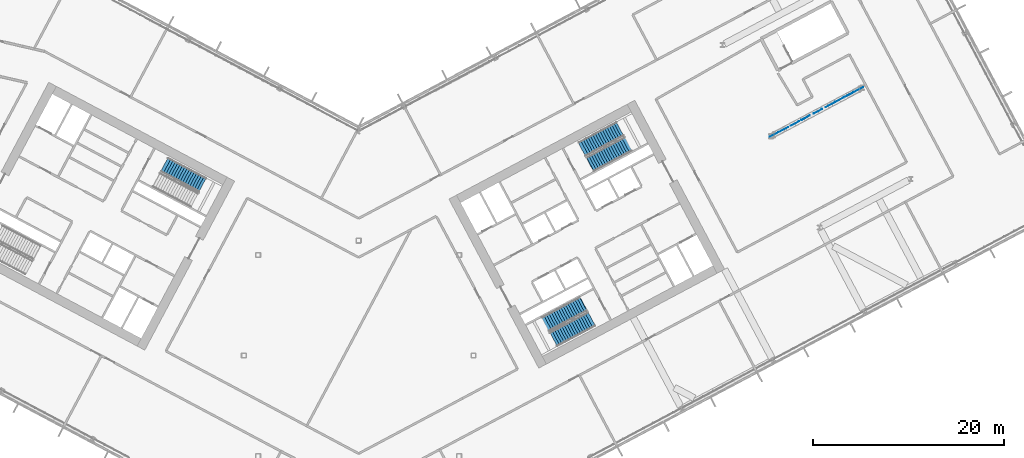
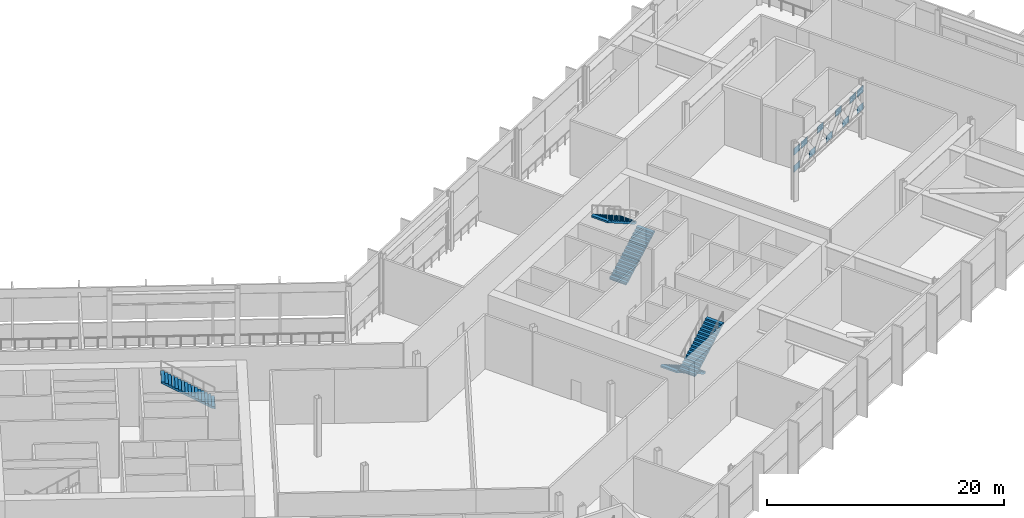
# One storey, part 18 of 33: 11 discrete accessories, 5 stair flights, 3 elements without a shape of their own.
"""IFC4 building model written with IfcOpenShell, lengths in metres."""

from ifc_helpers import new_model, si_unit, direction, frame, origin, origin_2d, place, context, subcontext, project, spatial, polyline, rectangle, outline, extrude, material, layer, layer_set, type_object, element, aggregate, save


model = new_model("IFC4")

# Units and contexts
model_context = context("Model", 3, precision=1e-05, world=origin(), true_north=direction((0.0, 1.0)))
body_context = subcontext(model_context, "Body", "Model", "MODEL_VIEW")
ifc_project = project(units=[si_unit("LENGTHUNIT", "METRE"), si_unit("AREAUNIT", "SQUARE_METRE"), si_unit("VOLUMEUNIT", "CUBIC_METRE"), si_unit("PLANEANGLEUNIT", "RADIAN"), si_unit("MASSUNIT", "GRAM", prefix="KILO")], contexts=[model_context])

# Site, building, storey
site_placement = place(None, origin())
site = spatial("IfcSite", under=ifc_project, at=site_placement, CompositionType="ELEMENT")
building_placement = place(site_placement, origin())
building = spatial("IfcBuilding", under=site, at=building_placement, Name="Cormorant Relay Tower", CompositionType="ELEMENT")
storey_placement = place(building_placement, frame((0.0, 0.0, 112.199951171875)))
storey = spatial("IfcBuildingStorey", under=building, at=storey_placement, Name="L22", CompositionType="ELEMENT", Elevation=112.199951171875)

# Stair, stair flight
ifc_material_1 = material(Name="Concrete 40 MPa", Category="concrete")
stair_type = type_object("IfcStairType", Name="Exit stair 1500", PredefinedType="HALF_TURN_STAIR", material=ifc_material_1)
stair_1_placement = place(storey_placement, origin())
stair_1 = element("IfcStair", 1, at=stair_1_placement, inside=storey, type_object=stair_type, Name="L22 Stair", PredefinedType="HALF_TURN_STAIR")
ifc_material_2 = material(Name="Concrete 40 MPa", Category="concrete")
stair_flight_type = type_object("IfcStairFlightType", Name="Exit stair flight 1650", PredefinedType="STRAIGHT", material=ifc_material_2)
stair_flight_1_placement = place(storey_placement, frame((-16.313720703125, 17.819580078125, 3.0), z_axis=(0.0, 0.0, 1.0), x_axis=(-0.882947592859, 0.469471562786, 0.0)))
stair_flight_1 = element("IfcStairFlight", 2, at=stair_flight_1_placement, type_object=stair_flight_type, Name="A1 flight 2", NumberOfRisers=17, NumberOfTreads=16, PredefinedType="STRAIGHT", RiserHeight=0.176470588, TreadLength=0.28, context=body_context, shape_type="SweptSolid", body=[
    extrude(outline(polyline([(-0.050048828125, -0.080078125), (-0.050048828125, 0.0), (0.0, 0.0), (0.0, 0.176513671875), (0.280029296875, 0.176513671875), (0.280029296875, 0.35302734375), (0.56005859375, 0.35302734375), (0.56005859375, 0.529296875), (0.840087890625, 0.529296875), (0.840087890625, 0.705810546875), (1.1201171875, 0.705810546875), (1.1201171875, 0.88232421875), (1.39990234375, 0.88232421875), (1.39990234375, 1.058837890625), (1.679931640625, 1.058837890625), (1.679931640625, 1.2353515625), (1.9599609375, 1.2353515625), (1.9599609375, 1.411865234375), (2.239990234375, 1.411865234375), (2.239990234375, 1.588134765625), (2.52001953125, 1.588134765625), (2.52001953125, 1.7646484375), (2.800048828125, 1.7646484375), (2.800048828125, 1.941162109375), (3.080078125, 1.941162109375), (3.080078125, 2.11767578125), (3.360107421875, 2.11767578125), (3.360107421875, 2.294189453125), (3.639892578125, 2.294189453125), (3.639892578125, 2.470703125), (3.919921875, 2.470703125), (3.919921875, 2.64697265625), (4.199951171875, 2.64697265625), (4.199951171875, 2.823486328125), (4.47998046875, 2.823486328125), (4.530029296875, 2.823486328125), (4.530029296875, 2.646240234375), (4.47998046875, 2.646240234375), (0.28125, 0.0), (-0.050048828125, -0.080078125)])), frame((0.0, 0.824951171875, 0.0), z_axis=(0.0, -1.0, 0.0), x_axis=(1.0, 0.0, 0.0)), (0.0, 0.0, 1.0), 1.64990234375),
])
aggregate(stair_1, [stair_flight_1])

# Stair, stair flights
stair_2_placement = place(storey_placement, origin())
stair_2 = element("IfcStair", 3, at=stair_2_placement, inside=storey, type_object=stair_type, Name="L22 Stair", PredefinedType="HALF_TURN_STAIR")
stair_flight_2_placement = place(storey_placement, frame((23.474365234375, 5.374755859375, 0.0), z_axis=(0.0, 0.0, 1.0), x_axis=(-0.882947592859, -0.469471562786, 0.0)))
stair_flight_2 = element("IfcStairFlight", 4, at=stair_flight_2_placement, type_object=stair_flight_type, Name="B1 flight 1", NumberOfRisers=17, NumberOfTreads=16, PredefinedType="STRAIGHT", RiserHeight=0.176470588, TreadLength=0.28, context=body_context, shape_type="SweptSolid", body=[
    extrude(outline(polyline([(-0.050048828125, -0.080078125), (-0.050048828125, 0.0), (0.0, 0.0), (0.0, 0.176513671875), (0.280029296875, 0.176513671875), (0.280029296875, 0.35302734375), (0.56005859375, 0.35302734375), (0.56005859375, 0.529296875), (0.840087890625, 0.529296875), (0.840087890625, 0.705810546875), (1.1201171875, 0.705810546875), (1.1201171875, 0.88232421875), (1.39990234375, 0.88232421875), (1.39990234375, 1.058837890625), (1.679931640625, 1.058837890625), (1.679931640625, 1.2353515625), (1.9599609375, 1.2353515625), (1.9599609375, 1.411865234375), (2.239990234375, 1.411865234375), (2.239990234375, 1.588134765625), (2.52001953125, 1.588134765625), (2.52001953125, 1.7646484375), (2.800048828125, 1.7646484375), (2.800048828125, 1.941162109375), (3.080078125, 1.941162109375), (3.080078125, 2.11767578125), (3.360107421875, 2.11767578125), (3.360107421875, 2.294189453125), (3.639892578125, 2.294189453125), (3.639892578125, 2.470703125), (3.919921875, 2.470703125), (3.919921875, 2.64697265625), (4.199951171875, 2.64697265625), (4.199951171875, 2.823486328125), (4.47998046875, 2.823486328125), (4.530029296875, 2.823486328125), (4.530029296875, 2.646240234375), (4.47998046875, 2.646240234375), (0.28125, 0.0), (-0.050048828125, -0.080078125)])), frame((0.0, 0.824951171875, 0.0), z_axis=(0.0, -1.0, 0.0), x_axis=(1.0, 0.0, 0.0)), (0.0, 0.0, 1.0), 1.64990234375),
])
stair_flight_3_placement = place(storey_placement, frame((20.364013671875, 1.68212890625, 3.0), z_axis=(0.0, 0.0, 1.0), x_axis=(0.882947592859, 0.469471562786, 0.0)))
stair_flight_3 = element("IfcStairFlight", 5, at=stair_flight_3_placement, type_object=stair_flight_type, Name="B1 flight 2", NumberOfRisers=17, NumberOfTreads=16, PredefinedType="STRAIGHT", RiserHeight=0.176470588, TreadLength=0.28, context=body_context, shape_type="SweptSolid", body=[
    extrude(outline(polyline([(-0.050048828125, -0.080078125), (-0.050048828125, 0.0), (0.0, 0.0), (0.0, 0.176513671875), (0.280029296875, 0.176513671875), (0.280029296875, 0.35302734375), (0.56005859375, 0.35302734375), (0.56005859375, 0.529296875), (0.840087890625, 0.529296875), (0.840087890625, 0.705810546875), (1.1201171875, 0.705810546875), (1.1201171875, 0.88232421875), (1.39990234375, 0.88232421875), (1.39990234375, 1.058837890625), (1.679931640625, 1.058837890625), (1.679931640625, 1.2353515625), (1.9599609375, 1.2353515625), (1.9599609375, 1.411865234375), (2.239990234375, 1.411865234375), (2.239990234375, 1.588134765625), (2.52001953125, 1.588134765625), (2.52001953125, 1.7646484375), (2.800048828125, 1.7646484375), (2.800048828125, 1.941162109375), (3.080078125, 1.941162109375), (3.080078125, 2.11767578125), (3.360107421875, 2.11767578125), (3.360107421875, 2.294189453125), (3.639892578125, 2.294189453125), (3.639892578125, 2.470703125), (3.919921875, 2.470703125), (3.919921875, 2.64697265625), (4.199951171875, 2.64697265625), (4.199951171875, 2.823486328125), (4.47998046875, 2.823486328125), (4.530029296875, 2.823486328125), (4.530029296875, 2.646240234375), (4.47998046875, 2.646240234375), (0.28125, 0.0), (-0.050048828125, -0.080078125)])), frame((0.0, 0.824951171875, 0.0), z_axis=(0.0, -1.0, 0.0), x_axis=(1.0, 0.0, 0.0)), (0.0, 0.0, 1.0), 1.64990234375),
])
aggregate(stair_2, [stair_flight_2, stair_flight_3])

stair_3_placement = place(storey_placement, origin())
stair_3 = element("IfcStair", 6, at=stair_3_placement, inside=storey, type_object=stair_type, Name="L22 Stair", PredefinedType="HALF_TURN_STAIR")
stair_flight_4_placement = place(storey_placement, frame((24.20458984375, 19.976806640625, 0.0), z_axis=(0.0, 0.0, 1.0), x_axis=(0.882947592859, 0.469471562786, 0.0)))
stair_flight_4 = element("IfcStairFlight", 7, at=stair_flight_4_placement, type_object=stair_flight_type, Name="B2 flight 1", NumberOfRisers=17, NumberOfTreads=16, PredefinedType="STRAIGHT", RiserHeight=0.176470588, TreadLength=0.28, context=body_context, shape_type="SweptSolid", body=[
    extrude(outline(polyline([(-0.050048828125, -0.080078125), (-0.050048828125, 0.0), (0.0, 0.0), (0.0, 0.176513671875), (0.280029296875, 0.176513671875), (0.280029296875, 0.35302734375), (0.56005859375, 0.35302734375), (0.56005859375, 0.529296875), (0.840087890625, 0.529296875), (0.840087890625, 0.705810546875), (1.1201171875, 0.705810546875), (1.1201171875, 0.88232421875), (1.39990234375, 0.88232421875), (1.39990234375, 1.058837890625), (1.679931640625, 1.058837890625), (1.679931640625, 1.2353515625), (1.9599609375, 1.2353515625), (1.9599609375, 1.411865234375), (2.239990234375, 1.411865234375), (2.239990234375, 1.588134765625), (2.52001953125, 1.588134765625), (2.52001953125, 1.7646484375), (2.800048828125, 1.7646484375), (2.800048828125, 1.941162109375), (3.080078125, 1.941162109375), (3.080078125, 2.11767578125), (3.360107421875, 2.11767578125), (3.360107421875, 2.294189453125), (3.639892578125, 2.294189453125), (3.639892578125, 2.470703125), (3.919921875, 2.470703125), (3.919921875, 2.64697265625), (4.199951171875, 2.64697265625), (4.199951171875, 2.823486328125), (4.47998046875, 2.823486328125), (4.530029296875, 2.823486328125), (4.530029296875, 2.646240234375), (4.47998046875, 2.646240234375), (0.28125, 0.0), (-0.050048828125, -0.080078125)])), frame((0.0, 0.824951171875, 0.0), z_axis=(0.0, -1.0, 0.0), x_axis=(1.0, 0.0, 0.0)), (0.0, 0.0, 1.0), 1.64990234375),
])
stair_flight_5_placement = place(storey_placement, frame((27.315185546875, 23.669189453125, 3.0), z_axis=(0.0, 0.0, 1.0), x_axis=(-0.882947592859, -0.469471562786, 0.0)))
stair_flight_5 = element("IfcStairFlight", 8, at=stair_flight_5_placement, type_object=stair_flight_type, Name="B2 flight 2", NumberOfRisers=17, NumberOfTreads=16, PredefinedType="STRAIGHT", RiserHeight=0.176470588, TreadLength=0.28, context=body_context, shape_type="SweptSolid", body=[
    extrude(outline(polyline([(-0.050048828125, -0.080078125), (-0.050048828125, 0.0), (0.0, 0.0), (0.0, 0.176513671875), (0.280029296875, 0.176513671875), (0.280029296875, 0.35302734375), (0.56005859375, 0.35302734375), (0.56005859375, 0.529296875), (0.840087890625, 0.529296875), (0.840087890625, 0.705810546875), (1.1201171875, 0.705810546875), (1.1201171875, 0.88232421875), (1.39990234375, 0.88232421875), (1.39990234375, 1.058837890625), (1.679931640625, 1.058837890625), (1.679931640625, 1.2353515625), (1.9599609375, 1.2353515625), (1.9599609375, 1.411865234375), (2.239990234375, 1.411865234375), (2.239990234375, 1.588134765625), (2.52001953125, 1.588134765625), (2.52001953125, 1.7646484375), (2.800048828125, 1.7646484375), (2.800048828125, 1.941162109375), (3.080078125, 1.941162109375), (3.080078125, 2.11767578125), (3.360107421875, 2.11767578125), (3.360107421875, 2.294189453125), (3.639892578125, 2.294189453125), (3.639892578125, 2.470703125), (3.919921875, 2.470703125), (3.919921875, 2.64697265625), (4.199951171875, 2.64697265625), (4.199951171875, 2.823486328125), (4.47998046875, 2.823486328125), (4.530029296875, 2.823486328125), (4.530029296875, 2.646240234375), (4.47998046875, 2.646240234375), (0.28125, 0.0), (-0.050048828125, -0.080078125)])), frame((0.0, 0.824951171875, 0.0), z_axis=(0.0, -1.0, 0.0), x_axis=(1.0, 0.0, 0.0)), (0.0, 0.0, 1.0), 1.64990234375),
])
aggregate(stair_3, [stair_flight_4, stair_flight_5])

# Discrete accessories
ifc_material_3 = material(Name="Steel ASTM A572 Grade 50 (Fy 345 MPa)", Category="steel")
ifc_layer = layer(ifc_material_3, 0.02490234375)
ifc_layer_set = layer_set([ifc_layer], Name="Gusset plate 25 truss node")
discrete_accessory_type = type_object("IfcDiscreteAccessoryType", Name="Gusset plate 25 truss node", PredefinedType="BRACKET", material=ifc_layer_set)
for number, where, z_axis, x_axis, name in (
    (9, (43.408203125, 23.080322265625, 2.869140625), (0.0, 0.0, 1.0), (0.88293694066, 0.46949159611, 0.0), "Gusset plate L22-06 N01"),
    (10, (45.581298828125, 24.23583984375, 2.869140625), (0.0, 0.0, 1.0), (0.882927107457, 0.469510088196, 0.0), "Gusset plate L22-06 N02"),
    (11, (47.984619140625, 25.513916015625, 2.869140625), (0.0, 0.0, 1.0), (0.882927107457, 0.469510088196, 0.0), "Gusset plate L22-06 N03"),
    (12, (50.259521484375, 26.7236328125, 2.869140625), (0.0, 0.0, 1.0), (0.882920551774, 0.469522416138, 0.0), "Gusset plate L22-06 N04"),
    (13, (52.3037109375, 27.810791015625, 2.869140625), (0.0, 0.0, 1.0), (0.882931204672, 0.469502383185, 0.0), "Gusset plate L22-06 N05"),
    (14, (43.408203125, 23.080322265625, 4.630859375), (0.0, 0.0, 1.0), (0.88293694066, 0.46949159611, 0.0), "Gusset plate L22-06 N06"),
    (15, (44.44384765625, 23.631103515625, 4.630859375), (0.0, 0.0, 1.0), (0.882920551774, 0.469522416138, 0.0), "Gusset plate L22-06 N07"),
    (16, (46.718505859375, 24.8408203125, 4.630859375), (0.0, 0.0, 1.0), (0.882932024107, 0.469500842179, 0.0), "Gusset plate L22-06 N08"),
    (17, (49.250732421875, 26.187255859375, 4.630859375), (0.0, 0.0, 1.0), (0.882932024107, 0.469500842179, 0.0), "Gusset plate L22-06 N09"),
    (18, (51.26806640625, 27.260009765625, 4.630859375), (0.0, 0.0, 1.0), (0.882914815409, 0.469533203012, 0.0), "Gusset plate L22-06 N10"),
    (19, (52.3037109375, 27.810791015625, 4.630859375), (0.0, 0.0, 1.0), (0.882954147832, 0.469459234466, 0.0), "Gusset plate L22-06 N11"),
):
    element("IfcDiscreteAccessory", number, at=place(storey_placement, frame(where, z_axis=z_axis, x_axis=x_axis)), inside=storey, type_object=discrete_accessory_type, Name=name, PredefinedType="BRACKET", context=body_context, shape_type="SweptSolid", body=[
        extrude(rectangle(XDim=1.0, YDim=0.02490234375, at=origin_2d()), origin(), (0.0, 0.0, 1.0), 0.699951171875),
    ])

save(model, "model.ifc")
